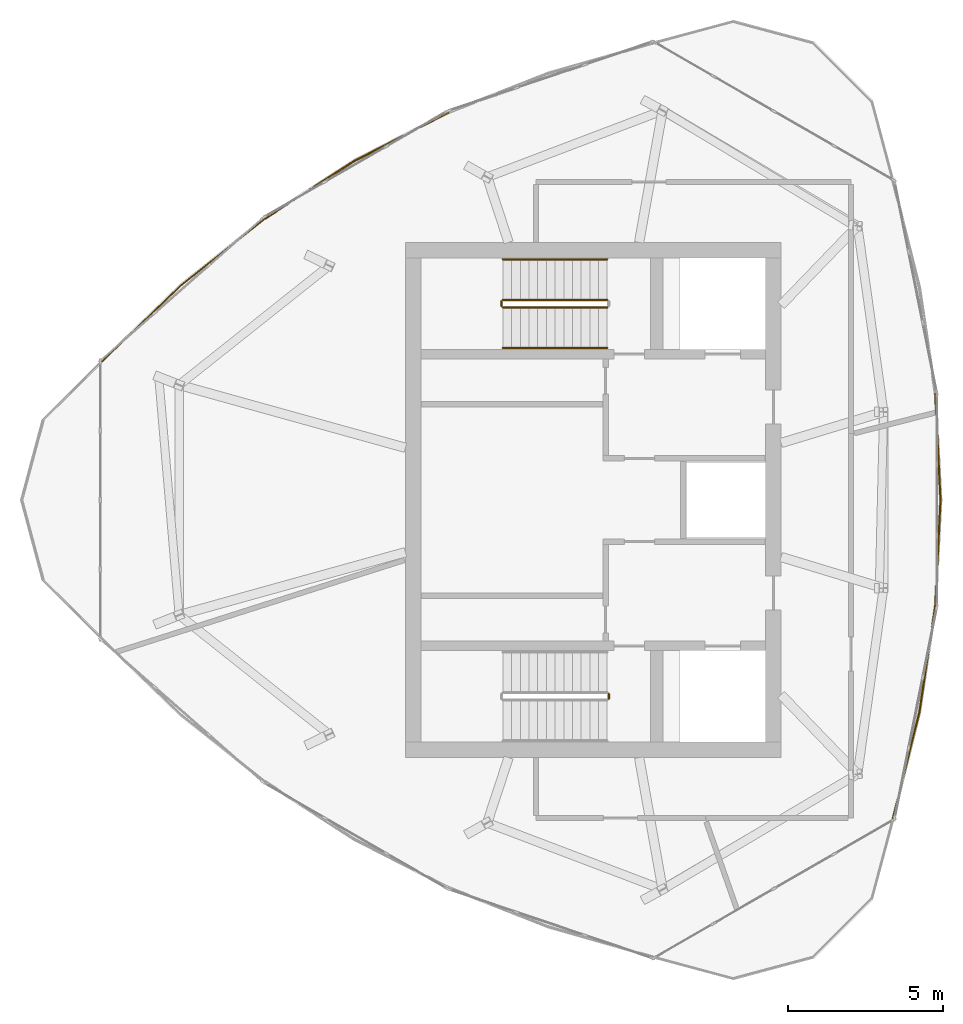
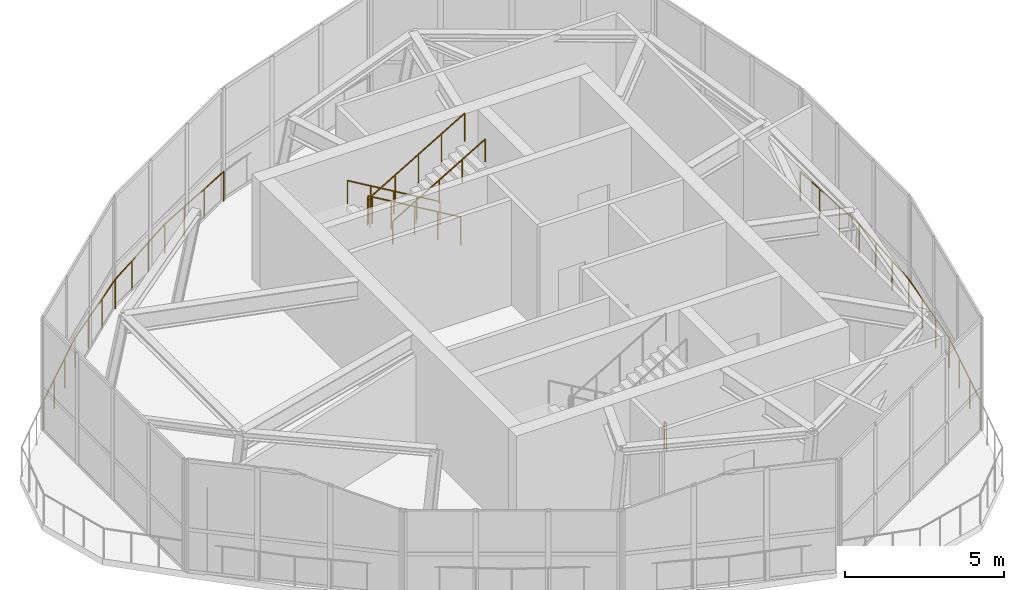
# One storey, part 10 of 11: 10 railings.
"""IFC4 building model written with IfcOpenShell, lengths in metres."""

import ifcopenshell
import ifcopenshell.guid

model = None  # the IFC model being written
_history = None  # IfcOwnerHistory: only IFC2X3 demands one
_inside = {}  # id of a spatial element -> (the spatial element, [elements in it])
_under = {}  # id of a project, library or spatial element -> (it, [spatial elements below it])
_declared = {}  # id of a project -> (the project, [libraries it declares])
_typed = {}  # id of a type object -> (the type object, [elements of that type])
_made_of = {}  # id of a material, layer set ... -> (it, [elements and type objects made of it])


def new_model(schema):
    """Start an empty IFC model of exactly this schema.

    Asked for "IFC4X3", IfcOpenShell would pick the latest addendum, in which some entities
    have other attributes; the version numbers below select the first issue.
    IFC2X3 requires an IfcOwnerHistory on every rooted entity: one is made here for all.
    """
    global model, _history
    if schema == "IFC4X3":
        model = ifcopenshell.file(schema_version=(4, 3, 0, 0))
    else:
        model = ifcopenshell.file(schema=schema)
    _inside.clear()
    _under.clear()
    _declared.clear()
    _typed.clear()
    _made_of.clear()
    _history = None
    if model.schema == "IFC2X3":
        org = make("IfcOrganization", Name="unknown")
        user = make(
            "IfcPersonAndOrganization",
            ThePerson=make("IfcPerson", FamilyName="unknown"),
            TheOrganization=org,
        )
        app = make(
            "IfcApplication",
            ApplicationDeveloper=org,
            Version="unknown",
            ApplicationFullName="unknown",
            ApplicationIdentifier="unknown",
        )
        _history = make(
            "IfcOwnerHistory",
            OwningUser=user,
            OwningApplication=app,
            ChangeAction="ADDED",
            CreationDate=0,
        )
    return model


def make(cls, **values):
    """One entity of the class cls with the attributes given. An attribute that is None is left unset."""
    return model.create_entity(
        cls, **{name: value for name, value in values.items() if value is not None}
    )


def rooted(cls, **values):
    """An entity with a GlobalId (a new one), such as an element, a storey or a relation."""
    return make(cls, GlobalId=ifcopenshell.guid.new(), OwnerHistory=_history, **values)


def si_unit(unit_type, name, prefix=None):
    """IfcSIUnit, for example si_unit("LENGTHUNIT", "METRE", prefix="MILLI")."""
    return make("IfcSIUnit", UnitType=unit_type, Prefix=prefix, Name=name)


def assignment(units):
    """IfcUnitAssignment: the units of a project."""
    return None if units is None else make("IfcUnitAssignment", Units=units)


def point(xyz):
    """IfcCartesianPoint."""
    return None if xyz is None else make("IfcCartesianPoint", Coordinates=xyz)


def direction(xyz):
    """IfcDirection."""
    return None if xyz is None else make("IfcDirection", DirectionRatios=xyz)


def frame(location, z_axis=None, x_axis=None):
    """IfcAxis2Placement3D, a coordinate frame: its origin and axes. An axis left out is left unset."""
    return make(
        "IfcAxis2Placement3D",
        Location=point(location),
        Axis=direction(z_axis),
        RefDirection=direction(x_axis),
    )


def frame_2d(location, x_axis=None):
    """IfcAxis2Placement2D, a coordinate frame in the plane: its origin and x axis."""
    return make(
        "IfcAxis2Placement2D", Location=point(location), RefDirection=direction(x_axis)
    )


def origin():
    """The frame at (0, 0, 0) with its axes left unset."""
    return frame((0.0, 0.0, 0.0))


def origin_2d():
    """The frame at (0, 0) in the plane with its x axis left unset."""
    return frame_2d((0.0, 0.0))


def place(relative_to, where):
    """IfcLocalPlacement: puts the frame where relative to a parent placement (None: the world)."""
    return make(
        "IfcLocalPlacement", PlacementRelTo=relative_to, RelativePlacement=where
    )


def context(
    kind, dimensions, precision=None, world=None, true_north=None, identifier=None
):
    """IfcGeometricRepresentationContext, for example the 3D "Model" context."""
    return make(
        "IfcGeometricRepresentationContext",
        ContextIdentifier=identifier,
        ContextType=kind,
        CoordinateSpaceDimension=dimensions,
        Precision=precision,
        WorldCoordinateSystem=world,
        TrueNorth=true_north,
    )


def subcontext(parent, identifier, kind, view, scale=None):
    """IfcGeometricRepresentationSubContext, for example "Body" below "Model"."""
    return make(
        "IfcGeometricRepresentationSubContext",
        ContextIdentifier=identifier,
        ContextType=kind,
        ParentContext=parent,
        TargetScale=scale,
        TargetView=view,
    )


def project(units=None, contexts=None):
    """IfcProject with its units and contexts."""
    return rooted(
        "IfcProject",
        Name="project",
        RepresentationContexts=contexts,
        UnitsInContext=assignment(units),
    )


def spatial(cls, under=None, at=None, **own):
    """A site, building, storey or space (cls), placed at a placement, below another one or the project."""
    s = rooted(cls, ObjectPlacement=at, **own)
    if under is not None:
        _under.setdefault(under.id(), (under, []))[1].append(s)
    return s


def profile(cls, at=None, kind="AREA", **sizes):
    """A parametric profile (cls). Its sizes go by their IFC names, for example OverallWidth=200.0."""
    return make(cls, ProfileType=kind, Position=at, **sizes)


def circle(**sizes):
    """IfcCircleProfileDef."""
    return profile("IfcCircleProfileDef", **sizes)


def extrude(swept, where, along, depth):
    """IfcExtrudedAreaSolid: the profile swept, set in the frame where, extruded along a direction by depth."""
    return make(
        "IfcExtrudedAreaSolid",
        SweptArea=swept,
        Position=where,
        ExtrudedDirection=direction(along),
        Depth=depth,
    )


def shape(context_of_items, identifier, shape_type, items):
    """IfcShapeRepresentation: the items that make up one representation, for example the "Body"."""
    return make(
        "IfcShapeRepresentation",
        ContextOfItems=context_of_items,
        RepresentationIdentifier=identifier,
        RepresentationType=shape_type,
        Items=items,
    )


def source(mapping_origin, context_of_items, identifier, shape_type, items):
    """IfcRepresentationMap: a shape defined once, which mapped items show again and again."""
    return make(
        "IfcRepresentationMap",
        MappingOrigin=mapping_origin,
        MappedRepresentation=shape(context_of_items, identifier, shape_type, items),
    )


def transform(
    local_origin,
    x_axis=None,
    y_axis=None,
    z_axis=None,
    scale=None,
    scale2=None,
    scale3=None,
    uniform=True,
):
    """IfcCartesianTransformationOperator3D, or its non-uniform kind. x_axis, y_axis, z_axis: its Axis1, 2, 3."""
    if uniform:
        return make(
            "IfcCartesianTransformationOperator3D",
            Axis1=direction(x_axis),
            Axis2=direction(y_axis),
            LocalOrigin=point(local_origin),
            Scale=scale,
            Axis3=direction(z_axis),
        )
    return make(
        "IfcCartesianTransformationOperator3DnonUniform",
        Axis1=direction(x_axis),
        Axis2=direction(y_axis),
        LocalOrigin=point(local_origin),
        Scale=scale,
        Axis3=direction(z_axis),
        Scale2=scale2,
        Scale3=scale3,
    )


def mapped(mapping_source, mapping_target):
    """IfcMappedItem: shows the shape of a source again, moved by a transform."""
    return make(
        "IfcMappedItem", MappingSource=mapping_source, MappingTarget=mapping_target
    )


def material(Name=None, Category=None):
    """IfcMaterial."""
    return make("IfcMaterial", Name=Name, Category=Category)


def made_of(thing, what):
    """Note that an element or type object is made of a material, layer set ...; save() writes the relation."""
    if what is not None:
        _made_of.setdefault(what.id(), (what, []))[1].append(thing)
    return thing


def type_object(cls, material=None, **own):
    """A type object (cls), such as IfcWallType, which elements share."""
    return made_of(rooted(cls, **own), material)


def element(
    cls,
    number,
    at=None,
    inside=None,
    cuts=None,
    type_object=None,
    material=None,
    context=None,
    identifier="Body",
    shape_type=None,
    held_by="IfcProductDefinitionShape",
    body=None,
    shapes=None,
    **own,
):
    """One element of the class cls, such as IfcWall. Its Tag is "e" and its number.

    at: its placement. inside: the storey or other place that contains it. cuts: it is an
    opening in that element (IfcRelVoidsElement). A single representation is given by context,
    identifier, shape_type and body (its items); several are given by shapes. held_by: the class
    of the entity that holds the representations. save() writes the other relations.
    """
    e = rooted(cls, Tag="e%d" % number, ObjectPlacement=at, **own)
    if body is not None:
        shapes = [shape(context, identifier, shape_type, body)]
    if shapes is not None:
        e.Representation = make(held_by, Representations=shapes)
    if inside is not None:
        _inside.setdefault(inside.id(), (inside, []))[1].append(e)
    if cuts is not None:
        rooted(
            "IfcRelVoidsElement", RelatingBuildingElement=cuts, RelatedOpeningElement=e
        )
    if type_object is not None:
        _typed.setdefault(type_object.id(), (type_object, []))[1].append(e)
    return made_of(e, material)


def aggregate(whole, parts):
    """IfcRelAggregates: a whole, such as a stair, and the parts it consists of."""
    return rooted("IfcRelAggregates", RelatingObject=whole, RelatedObjects=parts)


def save(model, path):
    """Write the relations noted so far, then the file.

    IfcRelAggregates (storeys below a building ...), IfcRelContainedInSpatialStructure (elements
    in a storey), IfcRelDefinesByType, IfcRelAssociatesMaterial and IfcRelDeclares: one each for
    every whole, place, type object, material and project.
    """
    for whole, parts in _under.values():
        aggregate(whole, parts)
    for where, things in _inside.values():
        rooted(
            "IfcRelContainedInSpatialStructure",
            RelatedElements=things,
            RelatingStructure=where,
        )
    for kind, things in _typed.values():
        rooted("IfcRelDefinesByType", RelatedObjects=things, RelatingType=kind)
    for what, things in _made_of.values():
        rooted("IfcRelAssociatesMaterial", RelatedObjects=things, RelatingMaterial=what)
    for by, libraries in _declared.values():
        rooted("IfcRelDeclares", RelatingContext=by, RelatedDefinitions=libraries)
    model.write(path)


model = new_model("IFC4")

# Units and contexts
model_context = context("Model", 3, precision=1e-05, world=origin(), true_north=direction((0.0, 1.0)))
body_context = subcontext(model_context, "Body", "Model", "MODEL_VIEW")
ifc_project = project(units=[si_unit("LENGTHUNIT", "METRE"), si_unit("AREAUNIT", "SQUARE_METRE"), si_unit("VOLUMEUNIT", "CUBIC_METRE"), si_unit("PLANEANGLEUNIT", "RADIAN"), si_unit("MASSUNIT", "GRAM", prefix="KILO")], contexts=[model_context])

# Site, building, storey
site_placement = place(None, origin())
site = spatial("IfcSite", under=ifc_project, at=site_placement, CompositionType="ELEMENT")
building_placement = place(site_placement, origin())
building = spatial("IfcBuilding", under=site, at=building_placement, Name="Qafzar Sky-Pleat Residences", CompositionType="ELEMENT")
storey_placement = place(building_placement, frame((0.0, 0.0, 257.5)))
storey = spatial("IfcBuildingStorey", under=building, at=storey_placement, Name="L77 Crown", CompositionType="ELEMENT", Elevation=257.5)

# Railings
ifc_material_1 = material(Name="Galvanised and bronze-coated Steel S355 guardrail", Category="steel")
railing_type_1 = type_object("IfcRailingType", Name="RAIL-EXT-1150", PredefinedType="GUARDRAIL", material=ifc_material_1)
shared_shape_1 = source(origin(), body_context, "Body", "SweptSolid", [
    extrude(circle(Radius=0.02392578125, at=origin_2d()), frame((0.0, 0.0, 1.1259765625), z_axis=(0.241295149447, 0.970451776676, 0.0), x_axis=(-0.970451776676, 0.241295149447, 0.0)), (0.0, 0.0, 1.0), 3.52001953125),
    extrude(circle(Radius=0.02392578125, at=origin_2d()), frame((0.849365234375, 3.416015625, 1.1259765625), z_axis=(0.147499782122, 0.989062088179, 0.0), x_axis=(-0.989062088179, 0.147499782122, 0.0)), (0.0, 0.0, 1.0), 3.451171875),
    extrude(circle(Radius=0.02099609375, at=origin_2d()), origin(), (0.0, 0.0, 1.0), 1.101806640625),
    extrude(circle(Radius=0.02099609375, at=origin_2d()), frame((0.283203125, 1.138671875, 0.0)), (0.0, 0.0, 1.0), 1.101806640625),
    extrude(circle(Radius=0.02099609375, at=origin_2d()), frame((0.566162109375, 2.27734375, 0.0)), (0.0, 0.0, 1.0), 1.101806640625),
    extrude(circle(Radius=0.02099609375, at=origin_2d()), frame((0.849365234375, 3.416015625, 0.0)), (0.0, 0.0, 1.0), 1.101806640625),
    extrude(circle(Radius=0.02099609375, at=origin_2d()), frame((1.01904296875, 4.5537109375, 0.0)), (0.0, 0.0, 1.0), 1.101806640625),
    extrude(circle(Radius=0.02099609375, at=origin_2d()), frame((1.188720703125, 5.691650390625, 0.0)), (0.0, 0.0, 1.0), 1.101806640625),
    extrude(circle(Radius=0.02099609375, at=origin_2d()), frame((1.3583984375, 6.829345703125, 0.0)), (0.0, 0.0, 1.0), 1.101806640625),
])
railing_1_placement = place(storey_placement, frame((40.007080078125, 15.758544921875, 0.0)))
element("IfcRailing", 1, at=railing_1_placement, inside=storey, type_object=railing_type_1, Name="L77 Crown Corner Maintenance Guardrail 6", PredefinedType="GUARDRAIL", context=body_context, shape_type="MappedRepresentation", body=[
    mapped(shared_shape_1, transform((0.0, 0.0, 0.0), x_axis=(1.0, 0.0, 0.0), y_axis=(0.0, 1.0, 0.0), z_axis=(0.0, 0.0, 1.0), scale=1.0)),
])
shared_shape_2 = source(origin(), body_context, "Body", "SweptSolid", [
    extrude(circle(Radius=0.02392578125, at=origin_2d()), frame((0.0, 0.0, 1.1259765625), z_axis=(0.049595446174, 0.998769388657, 0.0), x_axis=(-0.998769388657, 0.049595446174, 0.0)), (0.0, 0.0, 1.0), 3.416259765625),
    extrude(circle(Radius=0.02392578125, at=origin_2d()), frame((0.16943359375, 3.412109375, 1.1259765625), z_axis=(-0.049595446174, 0.998769388657, 0.0), x_axis=(-0.998769388657, -0.049595446174, 0.0)), (0.0, 0.0, 1.0), 3.416259765625),
    extrude(circle(Radius=0.02099609375, at=origin_2d()), origin(), (0.0, 0.0, 1.0), 1.101806640625),
    extrude(circle(Radius=0.02099609375, at=origin_2d()), frame((0.056396484375, 1.137451171875, 0.0)), (0.0, 0.0, 1.0), 1.101806640625),
    extrude(circle(Radius=0.02099609375, at=origin_2d()), frame((0.113037109375, 2.274658203125, 0.0)), (0.0, 0.0, 1.0), 1.101806640625),
    extrude(circle(Radius=0.02099609375, at=origin_2d()), frame((0.16943359375, 3.412109375, 0.0)), (0.0, 0.0, 1.0), 1.101806640625),
    extrude(circle(Radius=0.02099609375, at=origin_2d()), frame((0.113037109375, 4.549560546875, 0.0)), (0.0, 0.0, 1.0), 1.101806640625),
    extrude(circle(Radius=0.02099609375, at=origin_2d()), frame((0.056396484375, 5.686767578125, 0.0)), (0.0, 0.0, 1.0), 1.101806640625),
    extrude(circle(Radius=0.02099609375, at=origin_2d()), frame((0.0, 6.82421875, 0.0)), (0.0, 0.0, 1.0), 1.101806640625),
])
railing_2_placement = place(storey_placement, frame((41.365478515625, 22.587890625, 0.0)))
element("IfcRailing", 2, at=railing_2_placement, inside=storey, type_object=railing_type_1, Name="L77 Crown Corner Maintenance Guardrail 7", PredefinedType="GUARDRAIL", context=body_context, shape_type="MappedRepresentation", body=[
    mapped(shared_shape_2, transform((0.0, 0.0, 0.0), x_axis=(1.0, 0.0, 0.0), y_axis=(0.0, 1.0, 0.0), z_axis=(0.0, 0.0, 1.0), scale=1.0)),
])
shared_shape_3 = source(origin(), body_context, "Body", "SweptSolid", [
    extrude(circle(Radius=0.02392578125, at=origin_2d()), frame((0.0, 0.0, 1.1259765625), z_axis=(-0.88955681089, -0.456824561729, 0.0), x_axis=(0.456824561729, -0.88955681089, 0.0)), (0.0, 0.0, 1.0), 3.4150390625),
    extrude(circle(Radius=0.02392578125, at=origin_2d()), frame((-3.037841796875, -1.56005859375, 1.1259765625), z_axis=(-0.840047524711, -0.542512816648, 0.0), x_axis=(0.542512816648, -0.840047524711, 0.0)), (0.0, 0.0, 1.0), 3.414306640625),
    extrude(circle(Radius=0.02099609375, at=origin_2d()), origin(), (0.0, 0.0, 1.0), 1.101806640625),
    extrude(circle(Radius=0.02099609375, at=origin_2d()), frame((-1.0126953125, -0.52001953125, 0.0)), (0.0, 0.0, 1.0), 1.101806640625),
    extrude(circle(Radius=0.02099609375, at=origin_2d()), frame((-2.025146484375, -1.0400390625, 0.0)), (0.0, 0.0, 1.0), 1.101806640625),
    extrude(circle(Radius=0.02099609375, at=origin_2d()), frame((-3.037841796875, -1.56005859375, 0.0)), (0.0, 0.0, 1.0), 1.101806640625),
    extrude(circle(Radius=0.02099609375, at=origin_2d()), frame((-3.993896484375, -2.177490234375, 0.0)), (0.0, 0.0, 1.0), 1.101806640625),
    extrude(circle(Radius=0.02099609375, at=origin_2d()), frame((-4.949951171875, -2.794921875, 0.0)), (0.0, 0.0, 1.0), 1.101806640625),
    extrude(circle(Radius=0.02099609375, at=origin_2d()), frame((-5.906005859375, -3.412353515625, 0.0)), (0.0, 0.0, 1.0), 1.101806640625),
])
railing_3_placement = place(storey_placement, frame((25.6708984375, 38.468994140625, 0.0)))
element("IfcRailing", 3, at=railing_3_placement, inside=storey, type_object=railing_type_1, Name="L77 Crown Corner Maintenance Guardrail 11", PredefinedType="GUARDRAIL", context=body_context, shape_type="MappedRepresentation", body=[
    mapped(shared_shape_3, transform((0.0, 0.0, 0.0), x_axis=(1.0, 0.0, 0.0), y_axis=(0.0, 1.0, 0.0), z_axis=(0.0, 0.0, 1.0), scale=1.0)),
])
shared_shape_4 = source(origin(), body_context, "Body", "SweptSolid", [
    extrude(circle(Radius=0.02392578125, at=origin_2d()), frame((0.0, 0.0, 1.1259765625), z_axis=(-0.782832979145, -0.622231891471, 0.0), x_axis=(0.622231891471, -0.782832979145, 0.0)), (0.0, 0.0, 1.0), 3.44921875),
    extrude(circle(Radius=0.02392578125, at=origin_2d()), frame((-2.7001953125, -2.146240234375, 1.1259765625), z_axis=(-0.719928486452, -0.694048250769, 0.0), x_axis=(0.694048250769, -0.719928486452, 0.0)), (0.0, 0.0, 1.0), 3.518798828125),
    extrude(circle(Radius=0.02099609375, at=origin_2d()), origin(), (0.0, 0.0, 1.0), 1.101806640625),
    extrude(circle(Radius=0.02099609375, at=origin_2d()), frame((-0.900146484375, -0.71533203125, 0.0)), (0.0, 0.0, 1.0), 1.101806640625),
    extrude(circle(Radius=0.02099609375, at=origin_2d()), frame((-1.800048828125, -1.430908203125, 0.0)), (0.0, 0.0, 1.0), 1.101806640625),
    extrude(circle(Radius=0.02099609375, at=origin_2d()), frame((-2.7001953125, -2.146240234375, 0.0)), (0.0, 0.0, 1.0), 1.101806640625),
    extrude(circle(Radius=0.02099609375, at=origin_2d()), frame((-3.544677734375, -2.960205078125, 0.0)), (0.0, 0.0, 1.0), 1.101806640625),
    extrude(circle(Radius=0.02099609375, at=origin_2d()), frame((-4.388916015625, -3.7744140625, 0.0)), (0.0, 0.0, 1.0), 1.101806640625),
    extrude(circle(Radius=0.02099609375, at=origin_2d()), frame((-5.2333984375, -4.58837890625, 0.0)), (0.0, 0.0, 1.0), 1.101806640625),
])
railing_4_placement = place(storey_placement, frame((19.764892578125, 35.056640625, 0.0)))
element("IfcRailing", 4, at=railing_4_placement, inside=storey, type_object=railing_type_1, Name="L77 Crown Corner Maintenance Guardrail 12", PredefinedType="GUARDRAIL", context=body_context, shape_type="MappedRepresentation", body=[
    mapped(shared_shape_4, transform((0.0, 0.0, 0.0), x_axis=(1.0, 0.0, 0.0), y_axis=(0.0, 1.0, 0.0), z_axis=(0.0, 0.0, 1.0), scale=1.0)),
])
ifc_material_2 = material(Name="Painted Steel S355 stair guardrail", Category="steel")
railing_type_2 = type_object("IfcRailingType", Name="RAIL-STAIR-GUARD", PredefinedType="GUARDRAIL", material=ifc_material_2)
shared_shape_5 = source(origin(), body_context, "Body", "SweptSolid", [
    extrude(circle(Radius=0.02392578125, at=origin_2d()), frame((0.0, 0.0, 1.076171875), z_axis=(0.0, -1.0, 0.0), x_axis=(1.0, 0.0, 0.0)), (0.0, 0.0, 1.0), 0.14990234375),
    extrude(circle(Radius=0.02099609375, at=origin_2d()), origin(), (0.0, 0.0, 1.0), 1.052001953125),
    extrude(circle(Radius=0.02099609375, at=origin_2d()), frame((0.0, -0.14990234375, 0.0)), (0.0, 0.0, 1.0), 1.052001953125),
])
for number, where, name in (
    (5, (30.85009765625, 19.75, 0.0), "L77 Crown ST1 stair guard 4"),
    (6, (27.389892578125, 32.39990234375, 2.14990234375), "L77 Crown ST2 stair guard 2"),
):
    element("IfcRailing", number, at=place(storey_placement, frame(where)), inside=storey, type_object=railing_type_2, Name=name, PredefinedType="GUARDRAIL", context=body_context, shape_type="MappedRepresentation", body=[
        mapped(shared_shape_5, transform((0.0, 0.0, 0.0), x_axis=(1.0, 0.0, 0.0), y_axis=(0.0, 1.0, 0.0), z_axis=(0.0, 0.0, 1.0), scale=1.0)),
    ])
shared_shape_6 = source(origin(), body_context, "Body", "SweptSolid", [
    extrude(circle(Radius=0.02392578125, at=origin_2d()), frame((0.0, 0.0, 1.076171875), z_axis=(-0.861027394533, 0.0, 0.50855857663), x_axis=(0.0, -1.0, 0.0)), (0.0, 0.0, 1.0), 3.90234375),
    extrude(circle(Radius=0.02099609375, at=origin_2d()), origin(), (0.0, 0.0, 1.0), 1.052001953125),
    extrude(circle(Radius=0.02099609375, at=origin_2d()), frame((-0.840087890625, 0.0, 0.49609375)), (0.0, 0.0, 1.0), 1.052001953125),
    extrude(circle(Radius=0.02099609375, at=origin_2d()), frame((-1.68017578125, 0.0, 0.9921875)), (0.0, 0.0, 1.0), 1.052001953125),
    extrude(circle(Radius=0.02099609375, at=origin_2d()), frame((-2.52001953125, 0.0, 1.488525390625)), (0.0, 0.0, 1.0), 1.052001953125),
    extrude(circle(Radius=0.02099609375, at=origin_2d()), frame((-3.360107421875, 0.0, 1.984619140625)), (0.0, 0.0, 1.0), 1.052001953125),
])
railing_5_placement = place(storey_placement, frame((30.800048828125, 32.449951171875, 0.165283203125)))
element("IfcRailing", 7, at=railing_5_placement, inside=storey, type_object=railing_type_2, Name="L77 Crown ST2 stair guard 1", PredefinedType="GUARDRAIL", context=body_context, shape_type="MappedRepresentation", body=[
    mapped(shared_shape_6, transform((0.0, 0.0, 0.0), x_axis=(1.0, 0.0, 0.0), y_axis=(0.0, 1.0, 0.0), z_axis=(0.0, 0.0, 1.0), scale=1.0)),
])
shared_shape_7 = source(origin(), body_context, "Body", "SweptSolid", [
    extrude(circle(Radius=0.02392578125, at=origin_2d()), frame((0.0, 0.0, 1.076171875), z_axis=(0.861027394533, 0.0, 0.50855857663), x_axis=(0.0, 1.0, 0.0)), (0.0, 0.0, 1.0), 3.90234375),
    extrude(circle(Radius=0.02099609375, at=origin_2d()), origin(), (0.0, 0.0, 1.0), 1.052001953125),
    extrude(circle(Radius=0.02099609375, at=origin_2d()), frame((0.840087890625, 0.0, 0.49609375)), (0.0, 0.0, 1.0), 1.052001953125),
    extrude(circle(Radius=0.02099609375, at=origin_2d()), frame((1.68017578125, 0.0, 0.9921875)), (0.0, 0.0, 1.0), 1.052001953125),
    extrude(circle(Radius=0.02099609375, at=origin_2d()), frame((2.52001953125, 0.0, 1.488525390625)), (0.0, 0.0, 1.0), 1.052001953125),
    extrude(circle(Radius=0.02099609375, at=origin_2d()), frame((3.360107421875, 0.0, 1.984619140625)), (0.0, 0.0, 1.0), 1.052001953125),
])
railing_6_placement = place(storey_placement, frame((27.43994140625, 32.199951171875, 2.3154296875)))
element("IfcRailing", 8, at=railing_6_placement, inside=storey, type_object=railing_type_2, Name="L77 Crown ST2 stair guard 3", PredefinedType="GUARDRAIL", context=body_context, shape_type="MappedRepresentation", body=[
    mapped(shared_shape_7, transform((0.0, 0.0, 0.0), x_axis=(1.0, 0.0, 0.0), y_axis=(0.0, 1.0, 0.0), z_axis=(0.0, 0.0, 1.0), scale=1.0)),
])
ifc_material_3 = material(Name="Brushed stainless steel handrail", Category="steel")
railing_type_3 = type_object("IfcRailingType", Name="RAIL-STAIR-HAND", PredefinedType="HANDRAIL", material=ifc_material_3)
shared_shape_8 = source(origin(), body_context, "Body", "SweptSolid", [
    extrude(circle(Radius=0.02392578125, at=origin_2d()), frame((0.0, 0.0, 0.8759765625), z_axis=(-0.861027394533, 0.0, 0.50855857663), x_axis=(0.0, -1.0, 0.0)), (0.0, 0.0, 1.0), 3.90234375),
    extrude(circle(Radius=0.02099609375, at=origin_2d()), origin(), (0.0, 0.0, 1.0), 0.851806640625),
    extrude(circle(Radius=0.02099609375, at=origin_2d()), frame((-0.840087890625, 0.0, 0.49609375)), (0.0, 0.0, 1.0), 0.851806640625),
    extrude(circle(Radius=0.02099609375, at=origin_2d()), frame((-1.68017578125, 0.0, 0.9921875)), (0.0, 0.0, 1.0), 0.851806640625),
    extrude(circle(Radius=0.02099609375, at=origin_2d()), frame((-2.52001953125, 0.0, 1.488525390625)), (0.0, 0.0, 1.0), 0.851806640625),
    extrude(circle(Radius=0.02099609375, at=origin_2d()), frame((-3.360107421875, 0.0, 1.984619140625)), (0.0, 0.0, 1.0), 0.851806640625),
])
railing_7_placement = place(storey_placement, frame((30.800048828125, 33.75, 0.165283203125)))
element("IfcRailing", 9, at=railing_7_placement, inside=storey, type_object=railing_type_3, Name="L77 Crown ST2 stair handrail 1", PredefinedType="HANDRAIL", context=body_context, shape_type="MappedRepresentation", body=[
    mapped(shared_shape_8, transform((0.0, 0.0, 0.0), x_axis=(1.0, 0.0, 0.0), y_axis=(0.0, 1.0, 0.0), z_axis=(0.0, 0.0, 1.0), scale=1.0)),
])
shared_shape_9 = source(origin(), body_context, "Body", "SweptSolid", [
    extrude(circle(Radius=0.02392578125, at=origin_2d()), frame((0.0, 0.0, 0.8759765625), z_axis=(0.861027394533, 0.0, 0.50855857663), x_axis=(0.0, 1.0, 0.0)), (0.0, 0.0, 1.0), 3.90234375),
    extrude(circle(Radius=0.02099609375, at=origin_2d()), origin(), (0.0, 0.0, 1.0), 0.851806640625),
    extrude(circle(Radius=0.02099609375, at=origin_2d()), frame((0.840087890625, 0.0, 0.49609375)), (0.0, 0.0, 1.0), 0.851806640625),
    extrude(circle(Radius=0.02099609375, at=origin_2d()), frame((1.68017578125, 0.0, 0.9921875)), (0.0, 0.0, 1.0), 0.851806640625),
    extrude(circle(Radius=0.02099609375, at=origin_2d()), frame((2.52001953125, 0.0, 1.488525390625)), (0.0, 0.0, 1.0), 0.851806640625),
    extrude(circle(Radius=0.02099609375, at=origin_2d()), frame((3.360107421875, 0.0, 1.984619140625)), (0.0, 0.0, 1.0), 0.851806640625),
])
railing_8_placement = place(storey_placement, frame((27.43994140625, 30.89990234375, 2.3154296875)))
element("IfcRailing", 10, at=railing_8_placement, inside=storey, type_object=railing_type_3, Name="L77 Crown ST2 stair handrail 2", PredefinedType="HANDRAIL", context=body_context, shape_type="MappedRepresentation", body=[
    mapped(shared_shape_9, transform((0.0, 0.0, 0.0), x_axis=(1.0, 0.0, 0.0), y_axis=(0.0, 1.0, 0.0), z_axis=(0.0, 0.0, 1.0), scale=1.0)),
])

save(model, "model.ifc")
